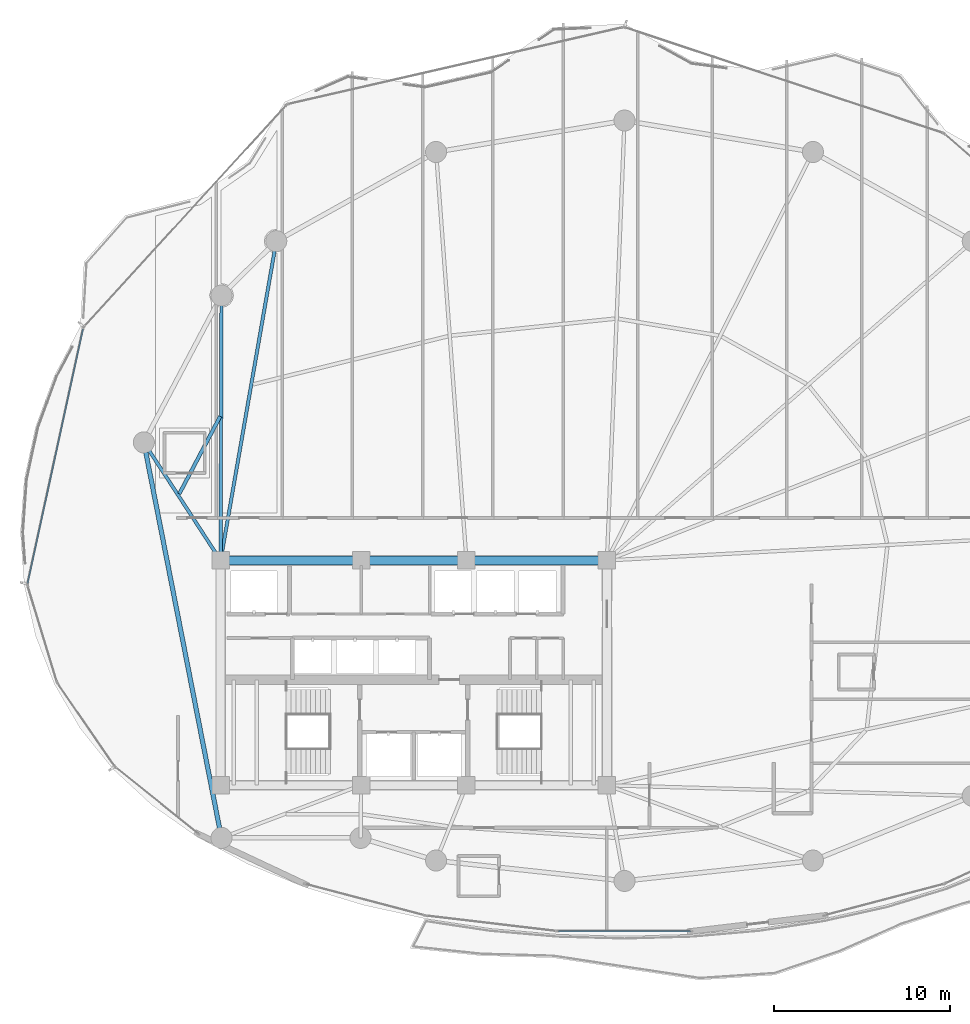
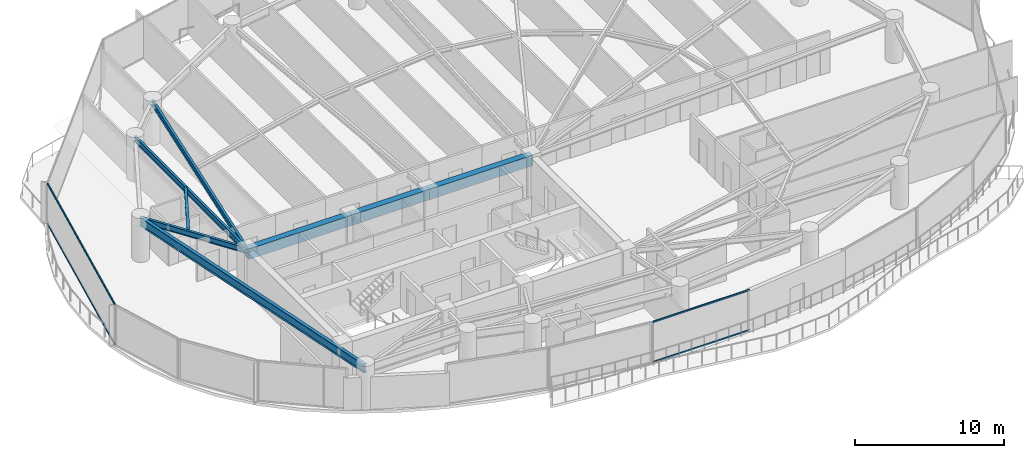
# One storey, part 9 of 34: 8 beams, 4 members, 2 elements without a shape of their own.
"""IFC4 building model written with IfcOpenShell, lengths in metres."""

from ifc_helpers import new_model, si_unit, direction, frame, origin, origin_2d, place, context, subcontext, project, spatial, rectangle, hollow_rectangle, i_section, extrude, material, layer, layer_set, material_profile, profile_set, type_object, element, aggregate, save


model = new_model("IFC4")

# Units and contexts
model_context = context("Model", 3, precision=1e-05, world=origin(), true_north=direction((0.0, 1.0)))
body_context = subcontext(model_context, "Body", "Model", "MODEL_VIEW")
ifc_project = project(units=[si_unit("LENGTHUNIT", "METRE"), si_unit("AREAUNIT", "SQUARE_METRE"), si_unit("VOLUMEUNIT", "CUBIC_METRE"), si_unit("PLANEANGLEUNIT", "RADIAN"), si_unit("MASSUNIT", "GRAM", prefix="KILO")], contexts=[model_context])

# Site, building, storey
site_placement = place(None, origin())
site = spatial("IfcSite", under=ifc_project, at=site_placement, CompositionType="ELEMENT")
building_placement = place(site_placement, origin())
building = spatial("IfcBuilding", under=site, at=building_placement, Name="Kazevale Care Tower and Concert Hall", CompositionType="ELEMENT")
storey_placement = place(building_placement, frame((0.0, 0.0, 163.800048828125)))
storey = spatial("IfcBuildingStorey", under=building, at=storey_placement, Name="L43", CompositionType="ELEMENT", Elevation=163.800048828125)

# Curtain wall, members
ifc_material_1 = material(Name="Aluminium 6063-T6 and Low-E Glass", Category="aluminium")
ifc_layer_1 = layer(ifc_material_1, 0.179931640625)
ifc_layer_set_1 = layer_set([ifc_layer_1], Name="Aluminium 6063-T6 and Low-E Glass")
curtain_wall_type_1 = type_object("IfcCurtainWallType", Name="Waist & Upper Residential Curtain Wall CW-4", PredefinedType="NOTDEFINED", material=ifc_layer_set_1)
curtain_wall_1_placement = place(storey_placement, origin())
curtain_wall_1 = element("IfcCurtainWall", 1, at=curtain_wall_1_placement, inside=storey, type_object=curtain_wall_type_1, Name="cw:L43:f13", PredefinedType="NOTDEFINED")
ifc_material_2 = material(Name="Aluminium 6063-T6", Category="aluminium")
ifc_material_profile_1 = material_profile(ifc_material_2, hollow_rectangle(XDim=0.080078125, YDim=0.139892578125, WallThickness=0.00390625, at=origin_2d()), Name="ALU80x140x4")
ifc_profile_set_1 = profile_set([ifc_material_profile_1], Name="Aluminium 6063-T6")
member_type_1 = type_object("IfcMemberType", Name="CW-4 Transom ALU80x140x4", PredefinedType="USERDEFINED", material=ifc_profile_set_1)
member_1_placement = place(storey_placement, frame((11.011962890625, 35.10205078125, 0.0400390625), z_axis=(0.212825500876, 0.977090224174, 0.0), x_axis=(-0.977090224174, 0.212825500876, 0.0)))
member_1 = element("IfcMember", 2, at=member_1_placement, type_object=member_type_1, Name="CW-4 transom 1.1", ObjectType="TRANSOM", PredefinedType="USERDEFINED", context=body_context, shape_type="SweptSolid", body=[
    extrude(hollow_rectangle(XDim=0.080078125, YDim=0.139892578125, WallThickness=0.00390625, at=origin_2d()), origin(), (0.0, 0.0, 1.0), 14.824462890625),
])
member_2_placement = place(storey_placement, frame((11.011962890625, 35.10205078125, 3.320068359375), z_axis=(0.212825500876, 0.977090224174, 0.0), x_axis=(-0.977090224174, 0.212825500876, 0.0)))
member_2 = element("IfcMember", 3, at=member_2_placement, type_object=member_type_1, Name="CW-4 transom 1.2", ObjectType="TRANSOM", PredefinedType="USERDEFINED", context=body_context, shape_type="SweptSolid", body=[
    extrude(hollow_rectangle(XDim=0.080078125, YDim=0.139892578125, WallThickness=0.00390625, at=origin_2d()), origin(), (0.0, 0.0, 1.0), 14.824462890625),
])
aggregate(curtain_wall_1, [member_1, member_2])

ifc_layer_2 = layer(ifc_material_1, 0.179931640625)
ifc_layer_set_2 = layer_set([ifc_layer_2], Name="Aluminium 6063-T6 and Low-E Glass")
curtain_wall_type_2 = type_object("IfcCurtainWallType", Name="Sheltered Concave Balcony Curtain Wall CW-5", PredefinedType="NOTDEFINED", material=ifc_layer_set_2)
curtain_wall_2_placement = place(storey_placement, origin())
curtain_wall_2 = element("IfcCurtainWall", 4, at=curtain_wall_2_placement, inside=storey, type_object=curtain_wall_type_2, Name="cw:L43:f06", PredefinedType="NOTDEFINED")
ifc_material_profile_2 = material_profile(ifc_material_2, hollow_rectangle(XDim=0.074951171875, YDim=0.1201171875, WallThickness=0.00390625, at=origin_2d()), Name="ALU75x120x4")
ifc_profile_set_2 = profile_set([ifc_material_profile_2], Name="Aluminium 6063-T6")
member_type_2 = type_object("IfcMemberType", Name="CW-5 Transom ALU75x120x4", PredefinedType="USERDEFINED", material=ifc_profile_set_2)
member_3_placement = place(storey_placement, frame((48.76611328125, 15.2890625, 0.037353515625), z_axis=(-1.0, 0.0, 0.0), x_axis=(0.0, -1.0, 0.0)))
member_3 = element("IfcMember", 5, at=member_3_placement, type_object=member_type_2, Name="CW-5 transom 1.1", ObjectType="TRANSOM", PredefinedType="USERDEFINED", context=body_context, shape_type="SweptSolid", body=[
    extrude(hollow_rectangle(XDim=0.074951171875, YDim=0.1201171875, WallThickness=0.00390625, at=origin_2d()), origin(), (0.0, 0.0, 1.0), 7.5322265625),
])
member_4_placement = place(storey_placement, frame((48.76611328125, 15.2890625, 3.322509765625), z_axis=(-1.0, 0.0, 0.0), x_axis=(0.0, -1.0, 0.0)))
member_4 = element("IfcMember", 6, at=member_4_placement, type_object=member_type_2, Name="CW-5 transom 1.2", ObjectType="TRANSOM", PredefinedType="USERDEFINED", context=body_context, shape_type="SweptSolid", body=[
    extrude(hollow_rectangle(XDim=0.074951171875, YDim=0.1201171875, WallThickness=0.00390625, at=origin_2d()), origin(), (0.0, 0.0, 1.0), 7.5322265625),
])
aggregate(curtain_wall_2, [member_3, member_4])

# Beams
ifc_material_3 = material(Name="Concrete C60", Category="concrete")
ifc_material_profile_3 = material_profile(ifc_material_3, rectangle(XDim=0.5, YDim=0.85009765625, at=origin_2d()), Name="RC-B500x850")
ifc_profile_set_3 = profile_set([ifc_material_profile_3], Name="Concrete C60")
beam_type_1 = type_object("IfcBeamType", Name="Core Coupling Beam RC500x850", PredefinedType="LINTEL", material=ifc_profile_set_3)
beam_1_placement = place(storey_placement, frame((44.0, 36.39990234375, 2.93505859375), z_axis=(-1.0, 0.0, 0.0), x_axis=(0.0, -1.0, 0.0)))
element("IfcBeam", 7, at=beam_1_placement, inside=storey, type_object=beam_type_1, Name="beam:L43:coretie:5", PredefinedType="LINTEL", context=body_context, shape_type="SweptSolid", body=[
    extrude(rectangle(XDim=0.5, YDim=0.85009765625, at=origin_2d()), origin(), (0.0, 0.0, 1.0), 8.0),
])
beam_2_placement = place(storey_placement, frame((36.0, 36.39990234375, 2.93505859375), z_axis=(-1.0, 0.0, 0.0), x_axis=(0.0, -1.0, 0.0)))
element("IfcBeam", 8, at=beam_2_placement, inside=storey, type_object=beam_type_1, Name="beam:L43:coretie:6", PredefinedType="LINTEL", context=body_context, shape_type="SweptSolid", body=[
    extrude(rectangle(XDim=0.5, YDim=0.85009765625, at=origin_2d()), origin(), (0.0, 0.0, 1.0), 6.0),
])
beam_3_placement = place(storey_placement, frame((30.0, 36.39990234375, 2.93505859375), z_axis=(-1.0, 0.0, 0.0), x_axis=(0.0, -1.0, 0.0)))
element("IfcBeam", 9, at=beam_3_placement, inside=storey, type_object=beam_type_1, Name="beam:L43:coretie:7", PredefinedType="LINTEL", context=body_context, shape_type="SweptSolid", body=[
    extrude(rectangle(XDim=0.5, YDim=0.85009765625, at=origin_2d()), origin(), (0.0, 0.0, 1.0), 8.0),
])
ifc_material_4 = material(Name="Steel ASTM A572 Gr 50", Category="steel")
ifc_material_profile_4 = material_profile(ifc_material_4, i_section(OverallWidth=0.19091796875, OverallDepth=0.4599609375, WebThickness=0.010009765625, FlangeThickness=0.01611328125, at=origin_2d()), Name="W460x82")
ifc_profile_set_4 = profile_set([ifc_material_profile_4], Name="Steel ASTM A572 Gr 50")
beam_type_2 = type_object("IfcBeamType", Name="Radial Floor Beam W460x82", PredefinedType="BEAM", material=ifc_profile_set_4)
beam_4_placement = place(storey_placement, frame((22.0, 36.39990234375, 3.1298828125), z_axis=(0.171769935245, 0.985137091651, 0.0), x_axis=(-0.985137091651, 0.171769935245, 0.0)))
element("IfcBeam", 10, at=beam_4_placement, inside=storey, type_object=beam_type_2, Name="beam:L43:rad:07", PredefinedType="BEAM", context=body_context, shape_type="SweptSolid", body=[
    extrude(i_section(OverallWidth=0.19091796875, OverallDepth=0.4599609375, WebThickness=0.010009765625, FlangeThickness=0.01611328125, at=origin_2d()), origin(), (0.0, 0.0, 1.0), 18.454345703125),
])
beam_5_placement = place(storey_placement, frame((22.0, 36.39990234375, 3.1298828125), z_axis=(0.003316650851, 0.999994499898, 0.0), x_axis=(-0.999994499898, 0.003316650851, 0.0)))
element("IfcBeam", 11, at=beam_5_placement, inside=storey, type_object=beam_type_2, Name="beam:L43:rad:08", PredefinedType="BEAM", context=body_context, shape_type="SweptSolid", body=[
    extrude(i_section(OverallWidth=0.19091796875, OverallDepth=0.4599609375, WebThickness=0.010009765625, FlangeThickness=0.01611328125, at=origin_2d()), origin(), (0.0, 0.0, 1.0), 15.090087890625),
])
beam_6_placement = place(storey_placement, frame((22.0, 36.39990234375, 3.1298828125), z_axis=(-0.5451617613, 0.83833087383, 0.0), x_axis=(-0.83833087383, -0.5451617613, 0.0)))
element("IfcBeam", 12, at=beam_6_placement, inside=storey, type_object=beam_type_2, Name="beam:L43:rad:09", PredefinedType="BEAM", context=body_context, shape_type="SweptSolid", body=[
    extrude(i_section(OverallWidth=0.19091796875, OverallDepth=0.4599609375, WebThickness=0.010009765625, FlangeThickness=0.01611328125, at=origin_2d()), origin(), (0.0, 0.0, 1.0), 8.01611328125),
])
ifc_material_profile_5 = material_profile(ifc_material_4, i_section(OverallWidth=0.205078125, OverallDepth=0.35400390625, WebThickness=0.009521484375, FlangeThickness=0.016845703125, at=origin_2d()), Name="W360x79")
ifc_profile_set_5 = profile_set([ifc_material_profile_5], Name="Steel ASTM A572 Gr 50")
beam_type_3 = type_object("IfcBeamType", Name="Secondary Floor Joist W360x79", PredefinedType="JOIST", material=ifc_profile_set_5)
beam_7_placement = place(storey_placement, frame((21.97802734375, 44.60693359375, 3.182861328125), z_axis=(-0.466809583155, -0.884357853515, 0.0), x_axis=(0.884357853515, -0.466809583155, 0.0)))
element("IfcBeam", 13, at=beam_7_placement, inside=storey, type_object=beam_type_3, Name="beam:L43:joist:08", PredefinedType="JOIST", context=body_context, shape_type="SweptSolid", body=[
    extrude(i_section(OverallWidth=0.205078125, OverallDepth=0.35400390625, WebThickness=0.009521484375, FlangeThickness=0.016845703125, at=origin_2d()), origin(), (0.0, 0.0, 1.0), 4.99560546875),
])
ifc_material_profile_6 = material_profile(ifc_material_4, i_section(OverallWidth=0.256103515625, OverallDepth=0.693115234375, WebThickness=0.014404296875, FlangeThickness=0.023681640625, at=origin_2d()), Name="W690x170")
ifc_profile_set_6 = profile_set([ifc_material_profile_6], Name="Steel ASTM A572 Gr 50")
beam_type_4 = type_object("IfcBeamType", Name="Waist Ring Beam W690x170", PredefinedType="BEAM", material=ifc_profile_set_6)
beam_8_placement = place(storey_placement, frame((17.6298828125, 43.1201171875, 3.013427734375), z_axis=(0.192602267784, -0.9812769061, 0.0), x_axis=(0.9812769061, 0.192602267784, 0.0)))
element("IfcBeam", 14, at=beam_8_placement, inside=storey, type_object=beam_type_4, Name="beam:L43:ring:09", PredefinedType="BEAM", context=body_context, shape_type="SweptSolid", body=[
    extrude(i_section(OverallWidth=0.256103515625, OverallDepth=0.693115234375, WebThickness=0.014404296875, FlangeThickness=0.023681640625, at=origin_2d()), origin(), (0.0, 0.0, 1.0), 22.94970703125),
])

save(model, "model.ifc")
